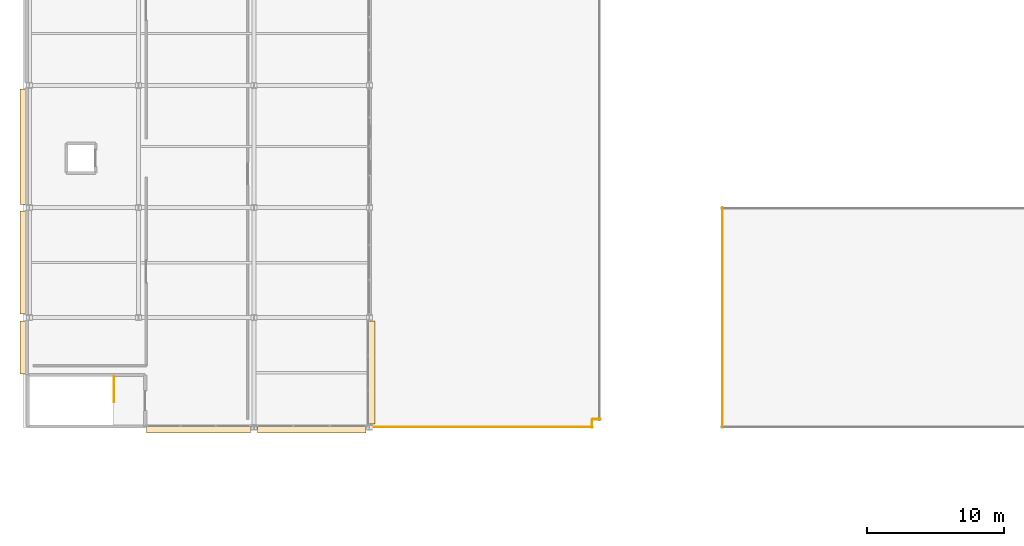
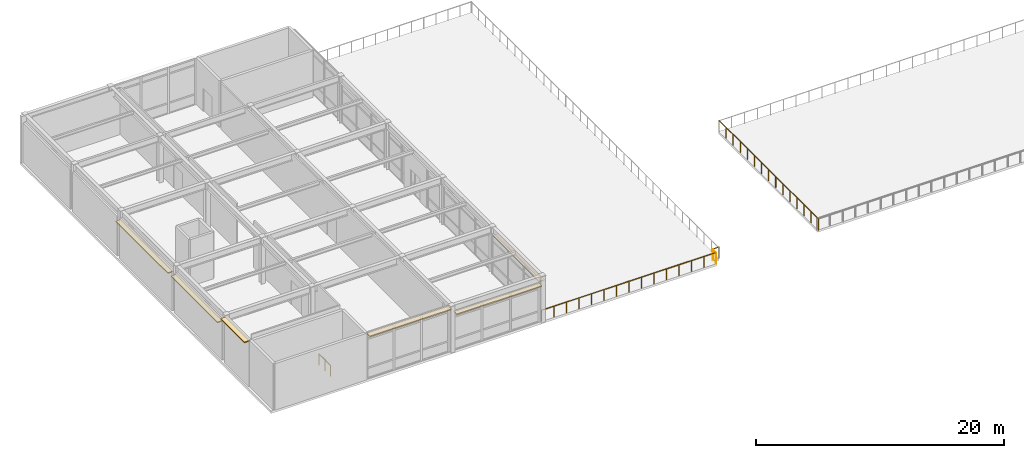
# One storey, part 58 of 61: 6 coverings, 5 railings.
"""IFC4 building model written with IfcOpenShell, lengths in metres."""

import ifcopenshell
import ifcopenshell.guid

model = None  # the IFC model being written
_history = None  # IfcOwnerHistory: only IFC2X3 demands one
_inside = {}  # id of a spatial element -> (the spatial element, [elements in it])
_under = {}  # id of a project, library or spatial element -> (it, [spatial elements below it])
_declared = {}  # id of a project -> (the project, [libraries it declares])
_typed = {}  # id of a type object -> (the type object, [elements of that type])
_made_of = {}  # id of a material, layer set ... -> (it, [elements and type objects made of it])


def new_model(schema):
    """Start an empty IFC model of exactly this schema.

    Asked for "IFC4X3", IfcOpenShell would pick the latest addendum, in which some entities
    have other attributes; the version numbers below select the first issue.
    IFC2X3 requires an IfcOwnerHistory on every rooted entity: one is made here for all.
    """
    global model, _history
    if schema == "IFC4X3":
        model = ifcopenshell.file(schema_version=(4, 3, 0, 0))
    else:
        model = ifcopenshell.file(schema=schema)
    _inside.clear()
    _under.clear()
    _declared.clear()
    _typed.clear()
    _made_of.clear()
    _history = None
    if model.schema == "IFC2X3":
        org = make("IfcOrganization", Name="unknown")
        user = make(
            "IfcPersonAndOrganization",
            ThePerson=make("IfcPerson", FamilyName="unknown"),
            TheOrganization=org,
        )
        app = make(
            "IfcApplication",
            ApplicationDeveloper=org,
            Version="unknown",
            ApplicationFullName="unknown",
            ApplicationIdentifier="unknown",
        )
        _history = make(
            "IfcOwnerHistory",
            OwningUser=user,
            OwningApplication=app,
            ChangeAction="ADDED",
            CreationDate=0,
        )
    return model


def make(cls, **values):
    """One entity of the class cls with the attributes given. An attribute that is None is left unset."""
    return model.create_entity(
        cls, **{name: value for name, value in values.items() if value is not None}
    )


def rooted(cls, **values):
    """An entity with a GlobalId (a new one), such as an element, a storey or a relation."""
    return make(cls, GlobalId=ifcopenshell.guid.new(), OwnerHistory=_history, **values)


def si_unit(unit_type, name, prefix=None):
    """IfcSIUnit, for example si_unit("LENGTHUNIT", "METRE", prefix="MILLI")."""
    return make("IfcSIUnit", UnitType=unit_type, Prefix=prefix, Name=name)


def assignment(units):
    """IfcUnitAssignment: the units of a project."""
    return None if units is None else make("IfcUnitAssignment", Units=units)


def point(xyz):
    """IfcCartesianPoint."""
    return None if xyz is None else make("IfcCartesianPoint", Coordinates=xyz)


def direction(xyz):
    """IfcDirection."""
    return None if xyz is None else make("IfcDirection", DirectionRatios=xyz)


def frame(location, z_axis=None, x_axis=None):
    """IfcAxis2Placement3D, a coordinate frame: its origin and axes. An axis left out is left unset."""
    return make(
        "IfcAxis2Placement3D",
        Location=point(location),
        Axis=direction(z_axis),
        RefDirection=direction(x_axis),
    )


def frame_2d(location, x_axis=None):
    """IfcAxis2Placement2D, a coordinate frame in the plane: its origin and x axis."""
    return make(
        "IfcAxis2Placement2D", Location=point(location), RefDirection=direction(x_axis)
    )


def origin():
    """The frame at (0, 0, 0) with its axes left unset."""
    return frame((0.0, 0.0, 0.0))


def origin_2d():
    """The frame at (0, 0) in the plane with its x axis left unset."""
    return frame_2d((0.0, 0.0))


def place(relative_to, where):
    """IfcLocalPlacement: puts the frame where relative to a parent placement (None: the world)."""
    return make(
        "IfcLocalPlacement", PlacementRelTo=relative_to, RelativePlacement=where
    )


def context(
    kind, dimensions, precision=None, world=None, true_north=None, identifier=None
):
    """IfcGeometricRepresentationContext, for example the 3D "Model" context."""
    return make(
        "IfcGeometricRepresentationContext",
        ContextIdentifier=identifier,
        ContextType=kind,
        CoordinateSpaceDimension=dimensions,
        Precision=precision,
        WorldCoordinateSystem=world,
        TrueNorth=true_north,
    )


def subcontext(parent, identifier, kind, view, scale=None):
    """IfcGeometricRepresentationSubContext, for example "Body" below "Model"."""
    return make(
        "IfcGeometricRepresentationSubContext",
        ContextIdentifier=identifier,
        ContextType=kind,
        ParentContext=parent,
        TargetScale=scale,
        TargetView=view,
    )


def project(units=None, contexts=None):
    """IfcProject with its units and contexts."""
    return rooted(
        "IfcProject",
        Name="project",
        RepresentationContexts=contexts,
        UnitsInContext=assignment(units),
    )


def spatial(cls, under=None, at=None, **own):
    """A site, building, storey or space (cls), placed at a placement, below another one or the project."""
    s = rooted(cls, ObjectPlacement=at, **own)
    if under is not None:
        _under.setdefault(under.id(), (under, []))[1].append(s)
    return s


def profile(cls, at=None, kind="AREA", **sizes):
    """A parametric profile (cls). Its sizes go by their IFC names, for example OverallWidth=200.0."""
    return make(cls, ProfileType=kind, Position=at, **sizes)


def rectangle(**sizes):
    """IfcRectangleProfileDef."""
    return profile("IfcRectangleProfileDef", **sizes)


def circle(**sizes):
    """IfcCircleProfileDef."""
    return profile("IfcCircleProfileDef", **sizes)


def extrude(swept, where, along, depth):
    """IfcExtrudedAreaSolid: the profile swept, set in the frame where, extruded along a direction by depth."""
    return make(
        "IfcExtrudedAreaSolid",
        SweptArea=swept,
        Position=where,
        ExtrudedDirection=direction(along),
        Depth=depth,
    )


def shape(context_of_items, identifier, shape_type, items):
    """IfcShapeRepresentation: the items that make up one representation, for example the "Body"."""
    return make(
        "IfcShapeRepresentation",
        ContextOfItems=context_of_items,
        RepresentationIdentifier=identifier,
        RepresentationType=shape_type,
        Items=items,
    )


def material(Name=None, Category=None):
    """IfcMaterial."""
    return make("IfcMaterial", Name=Name, Category=Category)


def layer(
    of_material, thickness, ventilated=None, Name=None, Category=None, Priority=None
):
    """IfcMaterialLayer: one layer of a wall or slab, of a material (None: an air gap)."""
    return make(
        "IfcMaterialLayer",
        Material=of_material,
        LayerThickness=thickness,
        IsVentilated=ventilated,
        Name=Name,
        Category=Category,
        Priority=Priority,
    )


def layer_set(layers, Name=None):
    """IfcMaterialLayerSet."""
    return make("IfcMaterialLayerSet", MaterialLayers=layers, LayerSetName=Name)


def made_of(thing, what):
    """Note that an element or type object is made of a material, layer set ...; save() writes the relation."""
    if what is not None:
        _made_of.setdefault(what.id(), (what, []))[1].append(thing)
    return thing


def type_object(cls, material=None, **own):
    """A type object (cls), such as IfcWallType, which elements share."""
    return made_of(rooted(cls, **own), material)


def element(
    cls,
    number,
    at=None,
    inside=None,
    cuts=None,
    type_object=None,
    material=None,
    context=None,
    identifier="Body",
    shape_type=None,
    held_by="IfcProductDefinitionShape",
    body=None,
    shapes=None,
    **own,
):
    """One element of the class cls, such as IfcWall. Its Tag is "e" and its number.

    at: its placement. inside: the storey or other place that contains it. cuts: it is an
    opening in that element (IfcRelVoidsElement). A single representation is given by context,
    identifier, shape_type and body (its items); several are given by shapes. held_by: the class
    of the entity that holds the representations. save() writes the other relations.
    """
    e = rooted(cls, Tag="e%d" % number, ObjectPlacement=at, **own)
    if body is not None:
        shapes = [shape(context, identifier, shape_type, body)]
    if shapes is not None:
        e.Representation = make(held_by, Representations=shapes)
    if inside is not None:
        _inside.setdefault(inside.id(), (inside, []))[1].append(e)
    if cuts is not None:
        rooted(
            "IfcRelVoidsElement", RelatingBuildingElement=cuts, RelatedOpeningElement=e
        )
    if type_object is not None:
        _typed.setdefault(type_object.id(), (type_object, []))[1].append(e)
    return made_of(e, material)


def aggregate(whole, parts):
    """IfcRelAggregates: a whole, such as a stair, and the parts it consists of."""
    return rooted("IfcRelAggregates", RelatingObject=whole, RelatedObjects=parts)


def save(model, path):
    """Write the relations noted so far, then the file.

    IfcRelAggregates (storeys below a building ...), IfcRelContainedInSpatialStructure (elements
    in a storey), IfcRelDefinesByType, IfcRelAssociatesMaterial and IfcRelDeclares: one each for
    every whole, place, type object, material and project.
    """
    for whole, parts in _under.values():
        aggregate(whole, parts)
    for where, things in _inside.values():
        rooted(
            "IfcRelContainedInSpatialStructure",
            RelatedElements=things,
            RelatingStructure=where,
        )
    for kind, things in _typed.values():
        rooted("IfcRelDefinesByType", RelatedObjects=things, RelatingType=kind)
    for what, things in _made_of.values():
        rooted("IfcRelAssociatesMaterial", RelatedObjects=things, RelatingMaterial=what)
    for by, libraries in _declared.values():
        rooted("IfcRelDeclares", RelatingContext=by, RelatedDefinitions=libraries)
    model.write(path)


model = new_model("IFC4")

# Units and contexts
model_context = context("Model", 3, precision=1e-05, world=origin(), true_north=direction((0.0, 1.0)))
body_context = subcontext(model_context, "Body", "Model", "MODEL_VIEW")
ifc_project = project(units=[si_unit("LENGTHUNIT", "METRE"), si_unit("AREAUNIT", "SQUARE_METRE"), si_unit("VOLUMEUNIT", "CUBIC_METRE"), si_unit("PLANEANGLEUNIT", "RADIAN"), si_unit("MASSUNIT", "GRAM", prefix="KILO")], contexts=[model_context])

# Site, building, storey
site_placement = place(None, origin())
site = spatial("IfcSite", under=ifc_project, at=site_placement, CompositionType="ELEMENT")
building_placement = place(site_placement, origin())
building = spatial("IfcBuilding", under=site, at=building_placement, Name="Kazehara Bluff Congress Hotel", CompositionType="ELEMENT")
storey_placement = place(building_placement, frame((0.0, 0.0, 19.800048828125)))
storey = spatial("IfcBuildingStorey", under=building, at=storey_placement, Name="L04", CompositionType="ELEMENT", Elevation=19.800048828125)

# Coverings
ifc_material_1 = material(Name="Anodised aluminium architectural brise-soleil", Category="aluminium")
ifc_layer = layer(ifc_material_1, 0.10009765625)
ifc_layer_set = layer_set([ifc_layer], Name="Anodised aluminium architectural brise-soleil")
covering_type = type_object("IfcCoveringType", Name="TP-FAC-FIN", PredefinedType="CLADDING", material=ifc_layer_set)
covering_1_placement = place(storey_placement, frame((72.0048828125, 15.860107421875, 4.39501953125), z_axis=(0.0, 0.0, 1.0), x_axis=(1.0, 0.0, 0.0)))
element("IfcCovering", 1, at=covering_1_placement, inside=storey, type_object=covering_type, Name="L04 V4 architectural sun-hood 173", PredefinedType="CLADDING", context=body_context, shape_type="SweptSolid", body=[
    extrude(rectangle(XDim=7.5849609375, YDim=0.52001953125, at=origin_2d()), origin(), (0.0, 0.0, 1.0), 0.10009765625),
])
covering_2_placement = place(storey_placement, frame((80.25, 15.860107421875, 3.73486328125), z_axis=(0.0, 0.0, 1.0), x_axis=(1.0, 0.0, 0.0)))
element("IfcCovering", 2, at=covering_2_placement, inside=storey, type_object=covering_type, Name="L04 V4 architectural sun-hood 174", PredefinedType="CLADDING", context=body_context, shape_type="SweptSolid", body=[
    extrude(rectangle(XDim=7.89990234375, YDim=0.52001953125, at=origin_2d()), origin(), (0.0, 0.0, 1.0), 0.10009765625),
])
covering_3_placement = place(storey_placement, frame((84.590087890625, 20.0, 3.73486328125), z_axis=(0.0, 0.0, 1.0), x_axis=(1.0, 0.0, 0.0)))
element("IfcCovering", 3, at=covering_3_placement, inside=storey, type_object=covering_type, Name="L04 V4 architectural sun-hood 175", PredefinedType="CLADDING", context=body_context, shape_type="SweptSolid", body=[
    extrude(rectangle(XDim=0.52001953125, YDim=7.5, at=origin_2d()), origin(), (0.0, 0.0, 1.0), 0.10009765625),
])
covering_4_placement = place(storey_placement, frame((59.280029296875, 21.830078125, 4.39501953125), z_axis=(0.0, 0.0, 1.0), x_axis=(1.0, 0.0, 0.0)))
element("IfcCovering", 4, at=covering_4_placement, inside=storey, type_object=covering_type, Name="L04 V4 architectural sun-hood 178", PredefinedType="CLADDING", context=body_context, shape_type="SweptSolid", body=[
    extrude(rectangle(XDim=0.52001953125, YDim=3.8349609375, at=origin_2d()), origin(), (0.0, 0.0, 1.0), 0.10009765625),
])
covering_5_placement = place(storey_placement, frame((59.280029296875, 28.0, 3.73486328125), z_axis=(0.0, 0.0, 1.0), x_axis=(1.0, 0.0, 0.0)))
element("IfcCovering", 5, at=covering_5_placement, inside=storey, type_object=covering_type, Name="L04 V4 architectural sun-hood 179", PredefinedType="CLADDING", context=body_context, shape_type="SweptSolid", body=[
    extrude(rectangle(XDim=0.52001953125, YDim=7.5, at=origin_2d()), origin(), (0.0, 0.0, 1.0), 0.10009765625),
])
covering_6_placement = place(storey_placement, frame((59.280029296875, 36.449951171875, 3.73486328125), z_axis=(0.0, 0.0, 1.0), x_axis=(1.0, 0.0, 0.0)))
element("IfcCovering", 6, at=covering_6_placement, inside=storey, type_object=covering_type, Name="L04 V4 architectural sun-hood 180", PredefinedType="CLADDING", context=body_context, shape_type="SweptSolid", body=[
    extrude(rectangle(XDim=0.52001953125, YDim=8.39990234375, at=origin_2d()), origin(), (0.0, 0.0, 1.0), 0.10009765625),
])

# Railings
ifc_material_2 = material(Name="Painted galvanised steel", Category="steel")
railing_type_1 = type_object("IfcRailingType", Name="TP-GRD-EXT", PredefinedType="BALUSTRADE", material=ifc_material_2)
railing_1_placement = place(storey_placement, frame((84.449951171875, 16.050048828125, 0.0)))
element("IfcRailing", 7, at=railing_1_placement, inside=storey, type_object=railing_type_1, Name="Delegate Bluff Roof Terrace edge guard 1", PredefinedType="BALUSTRADE", context=body_context, shape_type="SweptSolid", body=[
    extrude(circle(Radius=0.02392578125, at=origin_2d()), frame((0.0, 0.0, 1.076171875), z_axis=(1.0, 0.0, 0.0), x_axis=(0.0, 1.0, 0.0)), (0.0, 0.0, 1.0), 16.25),
    extrude(circle(Radius=0.02099609375, at=origin_2d()), origin(), (0.0, 0.0, 1.0), 1.052001953125),
    extrude(circle(Radius=0.02099609375, at=origin_2d()), frame((1.16064453125, 0.0, 0.0)), (0.0, 0.0, 1.0), 1.052001953125),
    extrude(circle(Radius=0.02099609375, at=origin_2d()), frame((2.321533203125, 0.0, 0.0)), (0.0, 0.0, 1.0), 1.052001953125),
    extrude(circle(Radius=0.02099609375, at=origin_2d()), frame((3.482177734375, 0.0, 0.0)), (0.0, 0.0, 1.0), 1.052001953125),
    extrude(circle(Radius=0.02099609375, at=origin_2d()), frame((4.642822265625, 0.0, 0.0)), (0.0, 0.0, 1.0), 1.052001953125),
    extrude(circle(Radius=0.02099609375, at=origin_2d()), frame((5.803466796875, 0.0, 0.0)), (0.0, 0.0, 1.0), 1.052001953125),
    extrude(circle(Radius=0.02099609375, at=origin_2d()), frame((6.96435546875, 0.0, 0.0)), (0.0, 0.0, 1.0), 1.052001953125),
    extrude(circle(Radius=0.02099609375, at=origin_2d()), frame((8.125, 0.0, 0.0)), (0.0, 0.0, 1.0), 1.052001953125),
    extrude(circle(Radius=0.02099609375, at=origin_2d()), frame((9.28564453125, 0.0, 0.0)), (0.0, 0.0, 1.0), 1.052001953125),
    extrude(circle(Radius=0.02099609375, at=origin_2d()), frame((10.446533203125, 0.0, 0.0)), (0.0, 0.0, 1.0), 1.052001953125),
    extrude(circle(Radius=0.02099609375, at=origin_2d()), frame((11.607177734375, 0.0, 0.0)), (0.0, 0.0, 1.0), 1.052001953125),
    extrude(circle(Radius=0.02099609375, at=origin_2d()), frame((12.767822265625, 0.0, 0.0)), (0.0, 0.0, 1.0), 1.052001953125),
    extrude(circle(Radius=0.02099609375, at=origin_2d()), frame((13.928466796875, 0.0, 0.0)), (0.0, 0.0, 1.0), 1.052001953125),
    extrude(circle(Radius=0.02099609375, at=origin_2d()), frame((15.08935546875, 0.0, 0.0)), (0.0, 0.0, 1.0), 1.052001953125),
    extrude(circle(Radius=0.02099609375, at=origin_2d()), frame((16.25, 0.0, 0.0)), (0.0, 0.0, 1.0), 1.052001953125),
])
railing_2_placement = place(storey_placement, frame((100.64990234375, 16.0, 0.0)))
element("IfcRailing", 8, at=railing_2_placement, inside=storey, type_object=railing_type_1, Name="Delegate Bluff Roof Terrace edge guard 2", PredefinedType="BALUSTRADE", context=body_context, shape_type="SweptSolid", body=[
    extrude(circle(Radius=0.02392578125, at=origin_2d()), frame((0.0, 0.0, 1.076171875), z_axis=(0.0, 1.0, 0.0), x_axis=(-1.0, 0.0, 0.0)), (0.0, 0.0, 1.0), 0.550048828125),
    extrude(circle(Radius=0.02099609375, at=origin_2d()), origin(), (0.0, 0.0, 1.0), 1.052001953125),
    extrude(circle(Radius=0.02099609375, at=origin_2d()), frame((0.0, 0.550048828125, 0.0)), (0.0, 0.0, 1.0), 1.052001953125),
])
railing_3_placement = place(storey_placement, frame((100.699951171875, 16.60009765625, 0.0)))
element("IfcRailing", 9, at=railing_3_placement, inside=storey, type_object=railing_type_1, Name="Delegate Bluff Roof Terrace edge guard 3", PredefinedType="BALUSTRADE", context=body_context, shape_type="SweptSolid", body=[
    extrude(circle(Radius=0.02392578125, at=origin_2d()), frame((0.0, 0.0, 1.076171875), z_axis=(1.0, 0.0, 0.0), x_axis=(0.0, 1.0, 0.0)), (0.0, 0.0, 1.0), 0.550048828125),
    extrude(circle(Radius=0.02099609375, at=origin_2d()), origin(), (0.0, 0.0, 1.0), 1.052001953125),
    extrude(circle(Radius=0.02099609375, at=origin_2d()), frame((0.550048828125, 0.0, 0.0)), (0.0, 0.0, 1.0), 1.052001953125),
])
railing_4_placement = place(storey_placement, frame((110.14990234375, 16.0, 0.0)))
element("IfcRailing", 10, at=railing_4_placement, inside=storey, type_object=railing_type_1, Name="Club Lounge Courtyard Roof Terrace edge guard 4", PredefinedType="BALUSTRADE", context=body_context, shape_type="SweptSolid", body=[
    extrude(circle(Radius=0.02392578125, at=origin_2d()), frame((0.0, 0.0, 1.076171875), z_axis=(0.0, 1.0, 0.0), x_axis=(-1.0, 0.0, 0.0)), (0.0, 0.0, 1.0), 16.0),
    extrude(circle(Radius=0.02099609375, at=origin_2d()), origin(), (0.0, 0.0, 1.0), 1.052001953125),
    extrude(circle(Radius=0.02099609375, at=origin_2d()), frame((0.0, 1.142822265625, 0.0)), (0.0, 0.0, 1.0), 1.052001953125),
    extrude(circle(Radius=0.02099609375, at=origin_2d()), frame((0.0, 2.28564453125, 0.0)), (0.0, 0.0, 1.0), 1.052001953125),
    extrude(circle(Radius=0.02099609375, at=origin_2d()), frame((0.0, 3.428466796875, 0.0)), (0.0, 0.0, 1.0), 1.052001953125),
    extrude(circle(Radius=0.02099609375, at=origin_2d()), frame((0.0, 4.571533203125, 0.0)), (0.0, 0.0, 1.0), 1.052001953125),
    extrude(circle(Radius=0.02099609375, at=origin_2d()), frame((0.0, 5.71435546875, 0.0)), (0.0, 0.0, 1.0), 1.052001953125),
    extrude(circle(Radius=0.02099609375, at=origin_2d()), frame((0.0, 6.857177734375, 0.0)), (0.0, 0.0, 1.0), 1.052001953125),
    extrude(circle(Radius=0.02099609375, at=origin_2d()), frame((0.0, 8.0, 0.0)), (0.0, 0.0, 1.0), 1.052001953125),
    extrude(circle(Radius=0.02099609375, at=origin_2d()), frame((0.0, 9.142822265625, 0.0)), (0.0, 0.0, 1.0), 1.052001953125),
    extrude(circle(Radius=0.02099609375, at=origin_2d()), frame((0.0, 10.28564453125, 0.0)), (0.0, 0.0, 1.0), 1.052001953125),
    extrude(circle(Radius=0.02099609375, at=origin_2d()), frame((0.0, 11.428466796875, 0.0)), (0.0, 0.0, 1.0), 1.052001953125),
    extrude(circle(Radius=0.02099609375, at=origin_2d()), frame((0.0, 12.571533203125, 0.0)), (0.0, 0.0, 1.0), 1.052001953125),
    extrude(circle(Radius=0.02099609375, at=origin_2d()), frame((0.0, 13.71435546875, 0.0)), (0.0, 0.0, 1.0), 1.052001953125),
    extrude(circle(Radius=0.02099609375, at=origin_2d()), frame((0.0, 14.857177734375, 0.0)), (0.0, 0.0, 1.0), 1.052001953125),
    extrude(circle(Radius=0.02099609375, at=origin_2d()), frame((0.0, 16.0, 0.0)), (0.0, 0.0, 1.0), 1.052001953125),
])
ifc_material_3 = material(Name="Brushed stainless steel", Category="steel")
railing_type_2 = type_object("IfcRailingType", Name="TP-GRD-INT", PredefinedType="GUARDRAIL", material=ifc_material_3)
railing_5_placement = place(storey_placement, frame((65.85009765625, 19.699951171875, 0.0)))
element("IfcRailing", 11, at=railing_5_placement, inside=storey, type_object=railing_type_2, Name="L04 ST-08 top well guard 1", PredefinedType="GUARDRAIL", context=body_context, shape_type="SweptSolid", body=[
    extrude(circle(Radius=0.02392578125, at=origin_2d()), frame((0.0, 0.0, 1.076171875), z_axis=(0.0, -1.0, 0.0), x_axis=(1.0, 0.0, 0.0)), (0.0, 0.0, 1.0), 1.849853515625),
    extrude(circle(Radius=0.02099609375, at=origin_2d()), origin(), (0.0, 0.0, 1.0), 1.052001953125),
    extrude(circle(Radius=0.02099609375, at=origin_2d()), frame((0.0, -0.9248046875, 0.0)), (0.0, 0.0, 1.0), 1.052001953125),
    extrude(circle(Radius=0.02099609375, at=origin_2d()), frame((0.0, -1.849853515625, 0.0)), (0.0, 0.0, 1.0), 1.052001953125),
])

save(model, "model.ifc")
